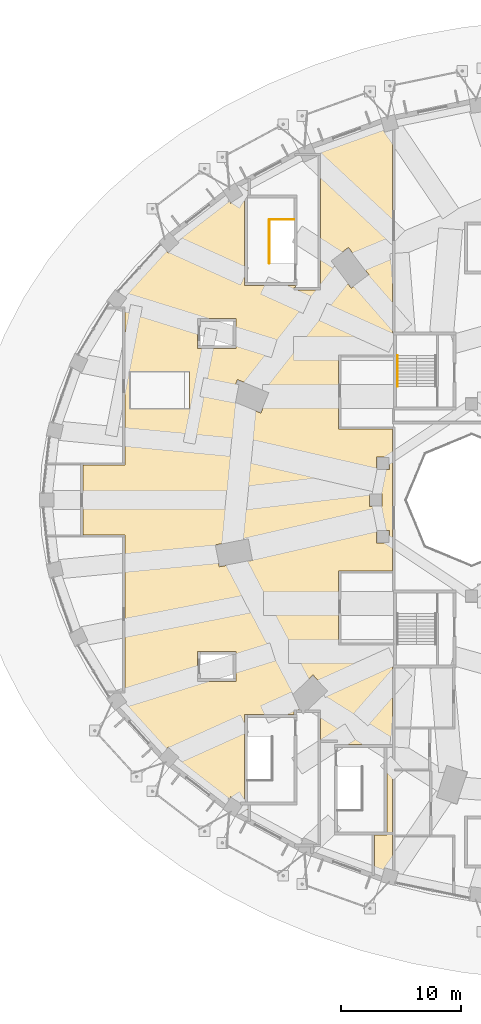
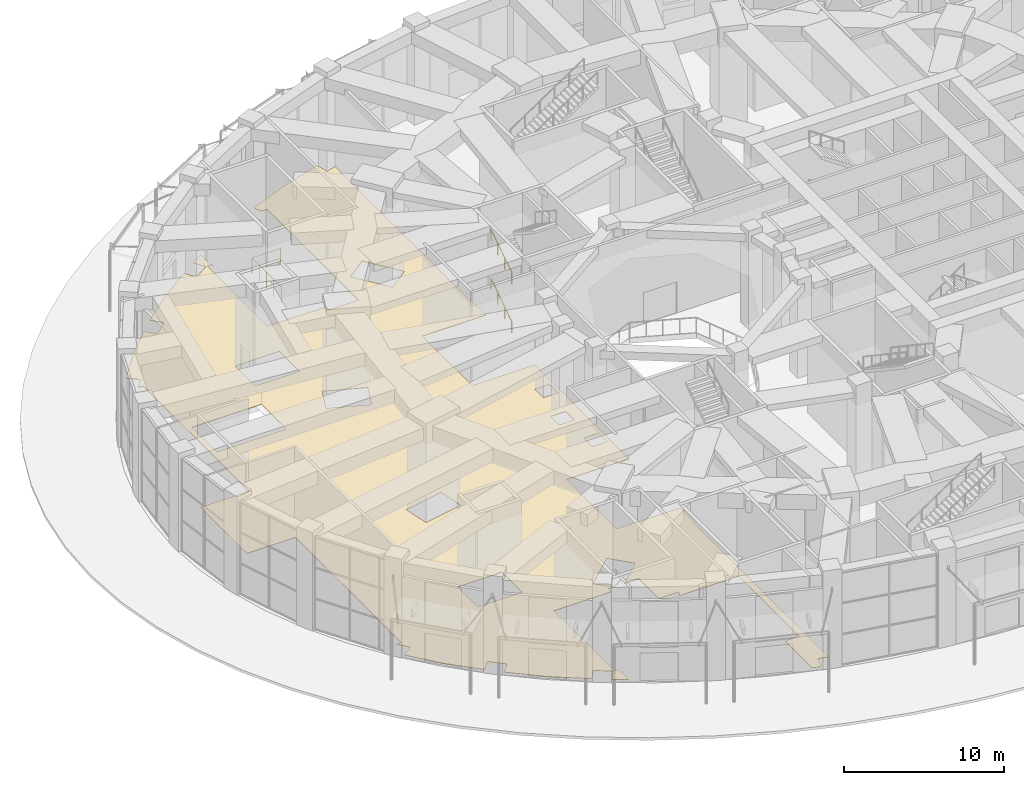
# One storey, part 56 of 60: 3 railings, 1 covering.
"""IFC4 building model written with IfcOpenShell, lengths in metres."""

import ifcopenshell
import ifcopenshell.guid

model = None  # the IFC model being written
_history = None  # IfcOwnerHistory: only IFC2X3 demands one
_inside = {}  # id of a spatial element -> (the spatial element, [elements in it])
_under = {}  # id of a project, library or spatial element -> (it, [spatial elements below it])
_declared = {}  # id of a project -> (the project, [libraries it declares])
_typed = {}  # id of a type object -> (the type object, [elements of that type])
_made_of = {}  # id of a material, layer set ... -> (it, [elements and type objects made of it])


def new_model(schema):
    """Start an empty IFC model of exactly this schema.

    Asked for "IFC4X3", IfcOpenShell would pick the latest addendum, in which some entities
    have other attributes; the version numbers below select the first issue.
    IFC2X3 requires an IfcOwnerHistory on every rooted entity: one is made here for all.
    """
    global model, _history
    if schema == "IFC4X3":
        model = ifcopenshell.file(schema_version=(4, 3, 0, 0))
    else:
        model = ifcopenshell.file(schema=schema)
    _inside.clear()
    _under.clear()
    _declared.clear()
    _typed.clear()
    _made_of.clear()
    _history = None
    if model.schema == "IFC2X3":
        org = make("IfcOrganization", Name="unknown")
        user = make(
            "IfcPersonAndOrganization",
            ThePerson=make("IfcPerson", FamilyName="unknown"),
            TheOrganization=org,
        )
        app = make(
            "IfcApplication",
            ApplicationDeveloper=org,
            Version="unknown",
            ApplicationFullName="unknown",
            ApplicationIdentifier="unknown",
        )
        _history = make(
            "IfcOwnerHistory",
            OwningUser=user,
            OwningApplication=app,
            ChangeAction="ADDED",
            CreationDate=0,
        )
    return model


def make(cls, **values):
    """One entity of the class cls with the attributes given. An attribute that is None is left unset."""
    return model.create_entity(
        cls, **{name: value for name, value in values.items() if value is not None}
    )


def rooted(cls, **values):
    """An entity with a GlobalId (a new one), such as an element, a storey or a relation."""
    return make(cls, GlobalId=ifcopenshell.guid.new(), OwnerHistory=_history, **values)


def si_unit(unit_type, name, prefix=None):
    """IfcSIUnit, for example si_unit("LENGTHUNIT", "METRE", prefix="MILLI")."""
    return make("IfcSIUnit", UnitType=unit_type, Prefix=prefix, Name=name)


def assignment(units):
    """IfcUnitAssignment: the units of a project."""
    return None if units is None else make("IfcUnitAssignment", Units=units)


def point(xyz):
    """IfcCartesianPoint."""
    return None if xyz is None else make("IfcCartesianPoint", Coordinates=xyz)


def direction(xyz):
    """IfcDirection."""
    return None if xyz is None else make("IfcDirection", DirectionRatios=xyz)


def frame(location, z_axis=None, x_axis=None):
    """IfcAxis2Placement3D, a coordinate frame: its origin and axes. An axis left out is left unset."""
    return make(
        "IfcAxis2Placement3D",
        Location=point(location),
        Axis=direction(z_axis),
        RefDirection=direction(x_axis),
    )


def frame_2d(location, x_axis=None):
    """IfcAxis2Placement2D, a coordinate frame in the plane: its origin and x axis."""
    return make(
        "IfcAxis2Placement2D", Location=point(location), RefDirection=direction(x_axis)
    )


def origin():
    """The frame at (0, 0, 0) with its axes left unset."""
    return frame((0.0, 0.0, 0.0))


def origin_2d():
    """The frame at (0, 0) in the plane with its x axis left unset."""
    return frame_2d((0.0, 0.0))


def place(relative_to, where):
    """IfcLocalPlacement: puts the frame where relative to a parent placement (None: the world)."""
    return make(
        "IfcLocalPlacement", PlacementRelTo=relative_to, RelativePlacement=where
    )


def context(
    kind, dimensions, precision=None, world=None, true_north=None, identifier=None
):
    """IfcGeometricRepresentationContext, for example the 3D "Model" context."""
    return make(
        "IfcGeometricRepresentationContext",
        ContextIdentifier=identifier,
        ContextType=kind,
        CoordinateSpaceDimension=dimensions,
        Precision=precision,
        WorldCoordinateSystem=world,
        TrueNorth=true_north,
    )


def subcontext(parent, identifier, kind, view, scale=None):
    """IfcGeometricRepresentationSubContext, for example "Body" below "Model"."""
    return make(
        "IfcGeometricRepresentationSubContext",
        ContextIdentifier=identifier,
        ContextType=kind,
        ParentContext=parent,
        TargetScale=scale,
        TargetView=view,
    )


def project(units=None, contexts=None):
    """IfcProject with its units and contexts."""
    return rooted(
        "IfcProject",
        Name="project",
        RepresentationContexts=contexts,
        UnitsInContext=assignment(units),
    )


def spatial(cls, under=None, at=None, **own):
    """A site, building, storey or space (cls), placed at a placement, below another one or the project."""
    s = rooted(cls, ObjectPlacement=at, **own)
    if under is not None:
        _under.setdefault(under.id(), (under, []))[1].append(s)
    return s


def polyline(points):
    """IfcPolyline through the points."""
    return make("IfcPolyline", Points=[point(p) for p in points])


def profile(cls, at=None, kind="AREA", **sizes):
    """A parametric profile (cls). Its sizes go by their IFC names, for example OverallWidth=200.0."""
    return make(cls, ProfileType=kind, Position=at, **sizes)


def circle(**sizes):
    """IfcCircleProfileDef."""
    return profile("IfcCircleProfileDef", **sizes)


def outline(outer, holes=None, kind="AREA"):
    """IfcArbitraryClosedProfileDef: a profile drawn as a closed curve; with holes, ...WithVoids."""
    if holes is None:
        return make("IfcArbitraryClosedProfileDef", ProfileType=kind, OuterCurve=outer)
    return make(
        "IfcArbitraryProfileDefWithVoids",
        ProfileType=kind,
        OuterCurve=outer,
        InnerCurves=holes,
    )


def extrude(swept, where, along, depth):
    """IfcExtrudedAreaSolid: the profile swept, set in the frame where, extruded along a direction by depth."""
    return make(
        "IfcExtrudedAreaSolid",
        SweptArea=swept,
        Position=where,
        ExtrudedDirection=direction(along),
        Depth=depth,
    )


def shape(context_of_items, identifier, shape_type, items):
    """IfcShapeRepresentation: the items that make up one representation, for example the "Body"."""
    return make(
        "IfcShapeRepresentation",
        ContextOfItems=context_of_items,
        RepresentationIdentifier=identifier,
        RepresentationType=shape_type,
        Items=items,
    )


def material(Name=None, Category=None):
    """IfcMaterial."""
    return make("IfcMaterial", Name=Name, Category=Category)


def layer(
    of_material, thickness, ventilated=None, Name=None, Category=None, Priority=None
):
    """IfcMaterialLayer: one layer of a wall or slab, of a material (None: an air gap)."""
    return make(
        "IfcMaterialLayer",
        Material=of_material,
        LayerThickness=thickness,
        IsVentilated=ventilated,
        Name=Name,
        Category=Category,
        Priority=Priority,
    )


def layer_set(layers, Name=None):
    """IfcMaterialLayerSet."""
    return make("IfcMaterialLayerSet", MaterialLayers=layers, LayerSetName=Name)


def made_of(thing, what):
    """Note that an element or type object is made of a material, layer set ...; save() writes the relation."""
    if what is not None:
        _made_of.setdefault(what.id(), (what, []))[1].append(thing)
    return thing


def type_object(cls, material=None, **own):
    """A type object (cls), such as IfcWallType, which elements share."""
    return made_of(rooted(cls, **own), material)


def element(
    cls,
    number,
    at=None,
    inside=None,
    cuts=None,
    type_object=None,
    material=None,
    context=None,
    identifier="Body",
    shape_type=None,
    held_by="IfcProductDefinitionShape",
    body=None,
    shapes=None,
    **own,
):
    """One element of the class cls, such as IfcWall. Its Tag is "e" and its number.

    at: its placement. inside: the storey or other place that contains it. cuts: it is an
    opening in that element (IfcRelVoidsElement). A single representation is given by context,
    identifier, shape_type and body (its items); several are given by shapes. held_by: the class
    of the entity that holds the representations. save() writes the other relations.
    """
    e = rooted(cls, Tag="e%d" % number, ObjectPlacement=at, **own)
    if body is not None:
        shapes = [shape(context, identifier, shape_type, body)]
    if shapes is not None:
        e.Representation = make(held_by, Representations=shapes)
    if inside is not None:
        _inside.setdefault(inside.id(), (inside, []))[1].append(e)
    if cuts is not None:
        rooted(
            "IfcRelVoidsElement", RelatingBuildingElement=cuts, RelatedOpeningElement=e
        )
    if type_object is not None:
        _typed.setdefault(type_object.id(), (type_object, []))[1].append(e)
    return made_of(e, material)


def aggregate(whole, parts):
    """IfcRelAggregates: a whole, such as a stair, and the parts it consists of."""
    return rooted("IfcRelAggregates", RelatingObject=whole, RelatedObjects=parts)


def save(model, path):
    """Write the relations noted so far, then the file.

    IfcRelAggregates (storeys below a building ...), IfcRelContainedInSpatialStructure (elements
    in a storey), IfcRelDefinesByType, IfcRelAssociatesMaterial and IfcRelDeclares: one each for
    every whole, place, type object, material and project.
    """
    for whole, parts in _under.values():
        aggregate(whole, parts)
    for where, things in _inside.values():
        rooted(
            "IfcRelContainedInSpatialStructure",
            RelatedElements=things,
            RelatingStructure=where,
        )
    for kind, things in _typed.values():
        rooted("IfcRelDefinesByType", RelatedObjects=things, RelatingType=kind)
    for what, things in _made_of.values():
        rooted("IfcRelAssociatesMaterial", RelatedObjects=things, RelatingMaterial=what)
    for by, libraries in _declared.values():
        rooted("IfcRelDeclares", RelatingContext=by, RelatedDefinitions=libraries)
    model.write(path)


model = new_model("IFC4")

# Units and contexts
model_context = context("Model", 3, precision=1e-05, world=origin(), true_north=direction((0.0, 1.0)))
body_context = subcontext(model_context, "Body", "Model", "MODEL_VIEW")
ifc_project = project(units=[si_unit("LENGTHUNIT", "METRE"), si_unit("AREAUNIT", "SQUARE_METRE"), si_unit("VOLUMEUNIT", "CUBIC_METRE"), si_unit("PLANEANGLEUNIT", "RADIAN"), si_unit("MASSUNIT", "GRAM", prefix="KILO")], contexts=[model_context])

# Site, building, storey
site_placement = place(None, origin())
site = spatial("IfcSite", under=ifc_project, at=site_placement, CompositionType="ELEMENT")
building_placement = place(site_placement, origin())
building = spatial("IfcBuilding", under=site, at=building_placement, Name="Taillehof Tower", CompositionType="ELEMENT")
storey_placement = place(building_placement, origin())
storey = spatial("IfcBuildingStorey", under=building, at=storey_placement, Name="L00", CompositionType="ELEMENT", Elevation=0.0)

# Covering
ifc_material_1 = material(Name="Terrazzo floor finish")
ifc_layer = layer(ifc_material_1, 0.030029296875)
ifc_layer_set = layer_set([ifc_layer], Name="Floor finish 30 mm")
covering_type = type_object("IfcCoveringType", Name="Floor finish 30 mm", PredefinedType="FLOORING", material=ifc_layer_set)
covering_placement = place(storey_placement, origin())
element("IfcCovering", 1, at=covering_placement, inside=storey, type_object=covering_type, Name="Floor finish L00-35", PredefinedType="FLOORING", context=body_context, shape_type="SweptSolid", body=[
    extrude(outline(polyline([(-35.7890625, 19.33935546875), (-33.894287109375, 21.24267578125), (-33.30322265625, 20.60107421875), (-33.30126953125, 20.598876953125), (-33.298828125, 20.59716796875), (-33.29638671875, 20.595458984375), (-33.2939453125, 20.593994140625), (-33.291015625, 20.593017578125), (-33.288330078125, 20.592041015625), (-33.285400390625, 20.591552734375), (-33.282470703125, 20.59130859375), (-33.279541015625, 20.59130859375), (-33.276611328125, 20.591552734375), (-33.273681640625, 20.59228515625), (-33.27099609375, 20.593017578125), (-33.268310546875, 20.59423828125), (-33.265625, 20.595703125), (-33.26318359375, 20.597412109375), (-33.260986328125, 20.59912109375), (-32.378173828125, 21.412109375), (-32.376220703125, 21.414306640625), (-32.374267578125, 21.41650390625), (-32.37255859375, 21.4189453125), (-32.371337890625, 21.421630859375), (-32.3701171875, 21.42431640625), (-32.369384765625, 21.42724609375), (-32.368896484375, 21.429931640625), (-32.36865234375, 21.432861328125), (-32.36865234375, 21.435791015625), (-32.368896484375, 21.438720703125), (-32.369384765625, 21.441650390625), (-32.370361328125, 21.444580078125), (-32.37158203125, 21.447265625), (-32.372802734375, 21.44970703125), (-32.37451171875, 21.4521484375), (-32.37646484375, 21.45458984375), (-32.965087890625, 22.09375), (-30.890869140625, 23.838134765625), (-28.574951171875, 25.4736328125), (-28.09912109375, 24.73974609375), (-28.097412109375, 24.7373046875), (-28.095458984375, 24.735107421875), (-28.09326171875, 24.733154296875), (-28.091064453125, 24.731201171875), (-28.08837890625, 24.729736328125), (-28.0859375, 24.728515625), (-28.0830078125, 24.7275390625), (-28.080322265625, 24.7265625), (-28.077392578125, 24.726318359375), (-28.074462890625, 24.72607421875), (-28.071533203125, 24.72607421875), (-28.068603515625, 24.7265625), (-28.065673828125, 24.727294921875), (-28.06298828125, 24.728271484375), (-28.060302734375, 24.7294921875), (-28.0576171875, 24.73095703125), (-27.05078125, 25.3837890625), (-27.04833984375, 25.385498046875), (-27.046142578125, 25.387451171875), (-27.044189453125, 25.389404296875), (-27.04248046875, 25.391845703125), (-27.040771484375, 25.394287109375), (-27.03955078125, 25.39697265625), (-27.03857421875, 25.399658203125), (-27.037841796875, 25.402587890625), (-27.037353515625, 25.405517578125), (-27.037109375, 25.408447265625), (-27.037109375, 25.411376953125), (-27.03759765625, 25.414306640625), (-27.038330078125, 25.417236328125), (-27.039306640625, 25.419921875), (-27.04052734375, 25.422607421875), (-27.0419921875, 25.42529296875), (-27.51611328125, 26.156494140625), (-26.63916015625, 26.675048828125), (-26.63916015625, 25.4150390625), (-26.539306640625, 25.4150390625), (-26.539306640625, 25.2900390625), (-26.675048828125, 25.2900390625), (-26.675048828125, 25.4150390625), (-26.925048828125, 25.4150390625), (-26.925048828125, 18.125), (-26.925048828125, 17.875), (-22.699951171875, 17.875), (-22.699951171875, 17.699951171875), (-22.800048828125, 17.699951171875), (-22.800048828125, 17.5), (-20.60009765625, 17.5), (-20.60009765625, 17.699951171875), (-20.60009765625, 28.68994140625), (-20.60009765625, 28.889892578125), (-20.994384765625, 28.889892578125), (-21.236328125, 29.432373046875), (-18.4599609375, 30.546142578125), (-15.525390625, 31.48291015625), (-15.28759765625, 30.6376953125), (-15.286865234375, 30.634765625), (-15.28564453125, 30.632080078125), (-15.2841796875, 30.629638671875), (-15.282470703125, 30.627197265625), (-15.280517578125, 30.625), (-15.2783203125, 30.622802734375), (-15.27587890625, 30.62109375), (-15.2734375, 30.61962890625), (-15.270751953125, 30.6181640625), (-15.26806640625, 30.6171875), (-15.265380859375, 30.616455078125), (-15.262451171875, 30.615966796875), (-15.259521484375, 30.61572265625), (-15.256591796875, 30.61572265625), (-15.253662109375, 30.6162109375), (-15.250732421875, 30.61669921875), (-14.60009765625, 30.7998046875), (-14.60009765625, 13.89990234375), (-14.5, 13.89990234375), (-14.5, 12.10009765625), (-18.89990234375, 12.10009765625), (-19.10009765625, 12.10009765625), (-19.10009765625, 6.10009765625), (-19.10009765625, 5.89990234375), (-14.60009765625, 5.89990234375), (-14.60009765625, -5.89990234375), (-18.89990234375, -5.89990234375), (-19.10009765625, -5.89990234375), (-19.10009765625, -11.89990234375), (-19.10009765625, -12.10009765625), (-14.5, -12.10009765625), (-14.5, -13.89990234375), (-14.60009765625, -13.89990234375), (-14.60009765625, -19.10009765625), (-14.60009765625, -22.60009765625), (-14.60009765625, -27.89990234375), (-14.60009765625, -30.7998046875), (-15.250732421875, -30.61669921875), (-15.253662109375, -30.6162109375), (-15.256591796875, -30.61572265625), (-15.259521484375, -30.61572265625), (-15.262451171875, -30.615966796875), (-15.265380859375, -30.616455078125), (-15.26806640625, -30.6171875), (-15.270751953125, -30.6181640625), (-15.2734375, -30.61962890625), (-15.27587890625, -30.62109375), (-15.2783203125, -30.622802734375), (-15.280517578125, -30.625), (-15.282470703125, -30.627197265625), (-15.2841796875, -30.629638671875), (-15.28564453125, -30.632080078125), (-15.286865234375, -30.634765625), (-15.28759765625, -30.6376953125), (-15.525390625, -31.48291015625), (-16.091796875, -31.302001953125), (-16.091796875, -27.9150390625), (-15.074951171875, -27.9150390625), (-15.074951171875, -27.6650390625), (-15.074951171875, -20.625), (-15.074951171875, -20.375), (-19.300048828125, -20.375), (-19.300048828125, -20.199951171875), (-19.199951171875, -20.199951171875), (-19.199951171875, -20.0), (-20.60009765625, -20.0), (-20.60009765625, -17.699951171875), (-20.60009765625, -17.5), (-21.63623046875, -17.5), (-19.983154296875, -15.95263671875), (-19.98095703125, -15.95068359375), (-19.979248046875, -15.9482421875), (-19.9775390625, -15.94580078125), (-19.976318359375, -15.943115234375), (-19.97509765625, -15.9404296875), (-19.974365234375, -15.937744140625), (-19.973876953125, -15.934814453125), (-19.9736328125, -15.931884765625), (-19.9736328125, -15.928955078125), (-19.97412109375, -15.926025390625), (-19.974609375, -15.923095703125), (-19.9755859375, -15.920166015625), (-19.976806640625, -15.91748046875), (-19.97802734375, -15.9150390625), (-19.979736328125, -15.91259765625), (-19.981689453125, -15.910400390625), (-21.211669921875, -14.59619140625), (-21.2138671875, -14.593994140625), (-21.216064453125, -14.59228515625), (-21.218505859375, -14.590576171875), (-21.22119140625, -14.58935546875), (-21.223876953125, -14.588134765625), (-21.226806640625, -14.58740234375), (-21.229736328125, -14.5869140625), (-21.232666015625, -14.586669921875), (-21.235595703125, -14.586669921875), (-21.238525390625, -14.5869140625), (-21.241455078125, -14.587646484375), (-21.244140625, -14.588623046875), (-21.246826171875, -14.589599609375), (-21.24951171875, -14.591064453125), (-21.251953125, -14.5927734375), (-21.254150390625, -14.5947265625), (-23.29833984375, -16.508056640625), (-23.300537109375, -16.51025390625), (-23.30224609375, -16.512451171875), (-23.303955078125, -16.514892578125), (-23.30517578125, -16.517578125), (-23.306396484375, -16.520263671875), (-23.30712890625, -16.523193359375), (-23.3076171875, -16.526123046875), (-23.307861328125, -16.529052734375), (-23.307861328125, -16.531982421875), (-23.3076171875, -16.534912109375), (-23.306884765625, -16.53759765625), (-23.305908203125, -16.54052734375), (-23.304931640625, -16.543212890625), (-23.303466796875, -16.545654296875), (-23.3017578125, -16.548095703125), (-23.2998046875, -16.550537109375), (-22.4111328125, -17.5), (-22.60009765625, -17.5), (-22.800048828125, -17.5), (-22.800048828125, -17.875), (-26.675048828125, -17.875), (-26.925048828125, -17.875), (-26.925048828125, -25.1650390625), (-26.925048828125, -25.4150390625), (-26.63916015625, -25.4150390625), (-26.63916015625, -26.675048828125), (-27.51611328125, -26.156494140625), (-27.0419921875, -25.42529296875), (-27.04052734375, -25.422607421875), (-27.039306640625, -25.419921875), (-27.038330078125, -25.417236328125), (-27.03759765625, -25.414306640625), (-27.037109375, -25.411376953125), (-27.037109375, -25.408447265625), (-27.037353515625, -25.405517578125), (-27.037841796875, -25.402587890625), (-27.03857421875, -25.399658203125), (-27.03955078125, -25.39697265625), (-27.040771484375, -25.394287109375), (-27.04248046875, -25.391845703125), (-27.044189453125, -25.389404296875), (-27.046142578125, -25.387451171875), (-27.04833984375, -25.385498046875), (-27.05078125, -25.3837890625), (-28.0576171875, -24.73095703125), (-28.060302734375, -24.7294921875), (-28.06298828125, -24.728271484375), (-28.065673828125, -24.727294921875), (-28.068603515625, -24.7265625), (-28.071533203125, -24.72607421875), (-28.074462890625, -24.72607421875), (-28.077392578125, -24.726318359375), (-28.080322265625, -24.7265625), (-28.0830078125, -24.7275390625), (-28.0859375, -24.728515625), (-28.08837890625, -24.729736328125), (-28.091064453125, -24.731201171875), (-28.09326171875, -24.733154296875), (-28.095458984375, -24.735107421875), (-28.097412109375, -24.7373046875), (-28.09912109375, -24.73974609375), (-28.574951171875, -25.4736328125), (-30.890869140625, -23.838134765625), (-32.965087890625, -22.09375), (-32.37646484375, -21.45458984375), (-32.37451171875, -21.4521484375), (-32.372802734375, -21.44970703125), (-32.37158203125, -21.447265625), (-32.370361328125, -21.444580078125), (-32.369384765625, -21.441650390625), (-32.368896484375, -21.438720703125), (-32.36865234375, -21.435791015625), (-32.36865234375, -21.432861328125), (-32.368896484375, -21.429931640625), (-32.369384765625, -21.42724609375), (-32.3701171875, -21.42431640625), (-32.371337890625, -21.421630859375), (-32.37255859375, -21.4189453125), (-32.374267578125, -21.41650390625), (-32.376220703125, -21.414306640625), (-32.378173828125, -21.412109375), (-33.260986328125, -20.59912109375), (-33.26318359375, -20.597412109375), (-33.265625, -20.595703125), (-33.268310546875, -20.59423828125), (-33.27099609375, -20.593017578125), (-33.273681640625, -20.59228515625), (-33.276611328125, -20.591552734375), (-33.279541015625, -20.59130859375), (-33.282470703125, -20.59130859375), (-33.285400390625, -20.591552734375), (-33.288330078125, -20.592041015625), (-33.291015625, -20.593017578125), (-33.2939453125, -20.593994140625), (-33.29638671875, -20.595458984375), (-33.298828125, -20.59716796875), (-33.30126953125, -20.598876953125), (-33.30322265625, -20.60107421875), (-33.894287109375, -21.24267578125), (-35.7890625, -19.33935546875), (-37.421875, -17.3642578125), (-36.727783203125, -16.845458984375), (-36.7255859375, -16.84375), (-36.723388671875, -16.841552734375), (-36.7216796875, -16.83935546875), (-36.719970703125, -16.8369140625), (-36.718505859375, -16.834228515625), (-36.717529296875, -16.83154296875), (-36.716552734375, -16.82861328125), (-36.716064453125, -16.825927734375), (-36.7158203125, -16.822998046875), (-36.7158203125, -16.820068359375), (-36.716064453125, -16.817138671875), (-36.716552734375, -16.814208984375), (-36.717529296875, -16.811279296875), (-36.71875, -16.80859375), (-36.719970703125, -16.805908203125), (-36.7216796875, -16.803466796875), (-37.247314453125, -16.10009765625), (-36.89990234375, -16.10009765625), (-36.89990234375, -15.89990234375), (-36.89990234375, -3.10009765625), (-36.89990234375, -2.89990234375), (-40.39990234375, -2.89990234375), (-40.39990234375, 2.89990234375), (-36.89990234375, 2.89990234375), (-36.89990234375, 3.10009765625), (-36.89990234375, 15.89990234375), (-36.89990234375, 16.10009765625), (-37.247314453125, 16.10009765625), (-36.7216796875, 16.803466796875), (-36.719970703125, 16.805908203125), (-36.71875, 16.80859375), (-36.717529296875, 16.811279296875), (-36.716552734375, 16.814208984375), (-36.716064453125, 16.817138671875), (-36.7158203125, 16.820068359375), (-36.7158203125, 16.822998046875), (-36.716064453125, 16.825927734375), (-36.716552734375, 16.82861328125), (-36.717529296875, 16.83154296875), (-36.718505859375, 16.834228515625), (-36.719970703125, 16.8369140625), (-36.7216796875, 16.83935546875), (-36.723388671875, 16.841552734375), (-36.7255859375, 16.84375), (-36.727783203125, 16.845458984375), (-37.421875, 17.3642578125), (-35.7890625, 19.33935546875)]), holes=[polyline([(-30.60009765625, -12.625), (-30.85009765625, -12.625), (-30.85009765625, -14.875), (-30.85009765625, -15.125), (-27.64990234375, -15.125), (-27.64990234375, -14.875), (-27.64990234375, -12.875), (-27.64990234375, -12.625), (-30.60009765625, -12.625)]), polyline([(-27.64990234375, 15.125), (-30.60009765625, 15.125), (-30.85009765625, 15.125), (-30.85009765625, 12.875), (-30.85009765625, 12.625), (-27.64990234375, 12.625), (-27.64990234375, 12.875), (-27.64990234375, 14.875), (-27.64990234375, 15.125)]), polyline([(-26.614990234375, -3.201904296875), (-26.617919921875, -3.201416015625), (-26.620849609375, -3.201416015625), (-26.623779296875, -3.201416015625), (-26.626708984375, -3.201904296875), (-29.3740234375, -3.7421875), (-29.376708984375, -3.742919921875), (-29.379638671875, -3.743896484375), (-29.38232421875, -3.7451171875), (-29.384765625, -3.746826171875), (-29.38720703125, -3.74853515625), (-29.389404296875, -3.75048828125), (-29.391357421875, -3.752685546875), (-29.39306640625, -3.7548828125), (-29.39453125, -3.757568359375), (-29.395751953125, -3.76025390625), (-29.39697265625, -3.762939453125), (-29.397705078125, -3.765869140625), (-29.39794921875, -3.768798828125), (-29.398193359375, -3.771728515625), (-29.39794921875, -3.774658203125), (-29.397705078125, -3.777587890625), (-29.05029296875, -5.543701171875), (-29.049560546875, -5.546630859375), (-29.048583984375, -5.54931640625), (-29.04736328125, -5.552001953125), (-29.0458984375, -5.554443359375), (-29.0439453125, -5.556884765625), (-29.0419921875, -5.55908203125), (-29.039794921875, -5.56103515625), (-29.03759765625, -5.562744140625), (-29.034912109375, -5.564208984375), (-29.032470703125, -5.565673828125), (-29.029541015625, -5.566650390625), (-29.02685546875, -5.5673828125), (-29.02392578125, -5.567626953125), (-29.02099609375, -5.56787109375), (-29.01806640625, -5.567626953125), (-29.01513671875, -5.5673828125), (-26.267578125, -5.02685546875), (-26.264892578125, -5.0263671875), (-26.261962890625, -5.025390625), (-26.25927734375, -5.02392578125), (-26.2568359375, -5.0224609375), (-26.25439453125, -5.020751953125), (-26.252197265625, -5.018798828125), (-26.250244140625, -5.0166015625), (-26.24853515625, -5.01416015625), (-26.2470703125, -5.01171875), (-26.245849609375, -5.009033203125), (-26.244873046875, -5.00634765625), (-26.244140625, -5.00341796875), (-26.24365234375, -5.00048828125), (-26.243408203125, -4.99755859375), (-26.24365234375, -4.99462890625), (-26.244140625, -4.99169921875), (-26.59130859375, -3.2255859375), (-26.592041015625, -3.22265625), (-26.593017578125, -3.219970703125), (-26.59423828125, -3.21728515625), (-26.595947265625, -3.21484375), (-26.59765625, -3.21240234375), (-26.599609375, -3.210205078125), (-26.601806640625, -3.208251953125), (-26.60400390625, -3.20654296875), (-26.606689453125, -3.204833984375), (-26.609375, -3.20361328125), (-26.612060546875, -3.20263671875), (-26.614990234375, -3.201904296875)]), polyline([(-16.511474609375, -0.52783203125), (-16.5087890625, -0.52880859375), (-16.505859375, -0.529541015625), (-16.5029296875, -0.52978515625), (-16.5, -0.530029296875), (-15.5, -0.530029296875), (-15.4970703125, -0.52978515625), (-15.494140625, -0.529541015625), (-15.4912109375, -0.52880859375), (-15.488525390625, -0.52783203125), (-15.48583984375, -0.5263671875), (-15.4833984375, -0.52490234375), (-15.48095703125, -0.523193359375), (-15.478759765625, -0.521240234375), (-15.476806640625, -0.51904296875), (-15.47509765625, -0.5166015625), (-15.4736328125, -0.51416015625), (-15.47216796875, -0.511474609375), (-15.47119140625, -0.5087890625), (-15.470458984375, -0.505859375), (-15.47021484375, -0.5029296875), (-15.469970703125, -0.5), (-15.469970703125, 0.5), (-15.47021484375, 0.5029296875), (-15.470458984375, 0.505859375), (-15.47119140625, 0.5087890625), (-15.47216796875, 0.511474609375), (-15.4736328125, 0.51416015625), (-15.47509765625, 0.5166015625), (-15.476806640625, 0.51904296875), (-15.478759765625, 0.521240234375), (-15.48095703125, 0.523193359375), (-15.4833984375, 0.52490234375), (-15.48583984375, 0.5263671875), (-15.488525390625, 0.52783203125), (-15.4912109375, 0.52880859375), (-15.494140625, 0.529541015625), (-15.4970703125, 0.52978515625), (-15.5, 0.530029296875), (-16.5, 0.530029296875), (-16.5029296875, 0.52978515625), (-16.505859375, 0.529541015625), (-16.5087890625, 0.52880859375), (-16.511474609375, 0.52783203125), (-16.51416015625, 0.5263671875), (-16.5166015625, 0.52490234375), (-16.51904296875, 0.523193359375), (-16.521240234375, 0.521240234375), (-16.523193359375, 0.51904296875), (-16.52490234375, 0.5166015625), (-16.5263671875, 0.51416015625), (-16.52783203125, 0.511474609375), (-16.52880859375, 0.5087890625), (-16.529541015625, 0.505859375), (-16.52978515625, 0.5029296875), (-16.530029296875, 0.5), (-16.530029296875, -0.5), (-16.52978515625, -0.5029296875), (-16.529541015625, -0.505859375), (-16.52880859375, -0.5087890625), (-16.52783203125, -0.511474609375), (-16.5263671875, -0.51416015625), (-16.52490234375, -0.5166015625), (-16.523193359375, -0.51904296875), (-16.521240234375, -0.521240234375), (-16.51904296875, -0.523193359375), (-16.5166015625, -0.52490234375), (-16.51416015625, -0.5263671875), (-16.511474609375, -0.52783203125)]), polyline([(-24.8896484375, 8.964599609375), (-24.891845703125, 8.966552734375), (-24.89404296875, 8.96826171875), (-24.896728515625, 8.969970703125), (-24.8994140625, 8.97119140625), (-27.49365234375, 10.0244140625), (-27.496337890625, 10.025390625), (-27.499267578125, 10.02587890625), (-27.502197265625, 10.0263671875), (-27.505126953125, 10.026611328125), (-27.508056640625, 10.0263671875), (-27.510986328125, 10.02587890625), (-27.513916015625, 10.025146484375), (-27.5166015625, 10.024169921875), (-27.519287109375, 10.02294921875), (-27.521728515625, 10.021240234375), (-27.524169921875, 10.01953125), (-27.5263671875, 10.017578125), (-27.5283203125, 10.015380859375), (-27.530029296875, 10.012939453125), (-27.531494140625, 10.010498046875), (-27.53271484375, 10.0078125), (-28.209716796875, 8.340087890625), (-28.210693359375, 8.337158203125), (-28.21142578125, 8.33447265625), (-28.2119140625, 8.33154296875), (-28.2119140625, 8.32861328125), (-28.2119140625, 8.32568359375), (-28.21142578125, 8.32275390625), (-28.210693359375, 8.31982421875), (-28.209716796875, 8.317138671875), (-28.20849609375, 8.314453125), (-28.206787109375, 8.311767578125), (-28.205078125, 8.3095703125), (-28.203125, 8.307373046875), (-28.200927734375, 8.305419921875), (-28.198486328125, 8.3037109375), (-28.196044921875, 8.30224609375), (-28.193359375, 8.301025390625), (-25.598876953125, 7.247802734375), (-25.59619140625, 7.246826171875), (-25.59326171875, 7.24609375), (-25.59033203125, 7.24560546875), (-25.58740234375, 7.24560546875), (-25.58447265625, 7.24560546875), (-25.58154296875, 7.24609375), (-25.578857421875, 7.246826171875), (-25.575927734375, 7.247802734375), (-25.5732421875, 7.2490234375), (-25.57080078125, 7.250732421875), (-25.568359375, 7.25244140625), (-25.56640625, 7.25439453125), (-25.564453125, 7.256591796875), (-25.5625, 7.259033203125), (-25.56103515625, 7.261474609375), (-25.559814453125, 7.26416015625), (-24.8828125, 8.93212890625), (-24.8818359375, 8.934814453125), (-24.881103515625, 8.937744140625), (-24.880615234375, 8.940673828125), (-24.880615234375, 8.943603515625), (-24.880859375, 8.946533203125), (-24.881103515625, 8.949462890625), (-24.8818359375, 8.9521484375), (-24.883056640625, 8.955078125), (-24.88427734375, 8.95751953125), (-24.8857421875, 8.960205078125), (-24.887451171875, 8.96240234375), (-24.8896484375, 8.964599609375)]), polyline([(-36.5, 10.699951171875), (-36.5, 7.60009765625), (-31.5, 7.60009765625), (-31.5, 10.699951171875), (-36.5, 10.699951171875)]), polyline([(-16.56884765625, 18.7724609375), (-16.56982421875, 18.775146484375), (-16.57080078125, 18.77783203125), (-16.572265625, 18.780517578125), (-16.573974609375, 18.782958984375), (-18.25732421875, 21.0205078125), (-18.259033203125, 21.022705078125), (-18.26123046875, 21.02490234375), (-18.263427734375, 21.026611328125), (-18.265869140625, 21.0283203125), (-18.2685546875, 21.029541015625), (-18.271240234375, 21.03076171875), (-18.274169921875, 21.031494140625), (-18.277099609375, 21.0322265625), (-18.280029296875, 21.032470703125), (-18.282958984375, 21.032470703125), (-18.285888671875, 21.031982421875), (-18.28857421875, 21.031494140625), (-18.29150390625, 21.030517578125), (-18.294189453125, 21.029541015625), (-18.296875, 21.028076171875), (-18.29931640625, 21.0263671875), (-19.737548828125, 19.9443359375), (-19.739990234375, 19.9423828125), (-19.741943359375, 19.9404296875), (-19.743896484375, 19.93798828125), (-19.745361328125, 19.935546875), (-19.746826171875, 19.932861328125), (-19.747802734375, 19.93017578125), (-19.748779296875, 19.927490234375), (-19.749267578125, 19.924560546875), (-19.74951171875, 19.921630859375), (-19.74951171875, 19.918701171875), (-19.749267578125, 19.915771484375), (-19.74853515625, 19.912841796875), (-19.747802734375, 19.909912109375), (-19.74658203125, 19.9072265625), (-19.7451171875, 19.90478515625), (-19.74365234375, 19.90234375), (-18.060302734375, 17.664794921875), (-18.058349609375, 17.66259765625), (-18.056396484375, 17.660400390625), (-18.053955078125, 17.65869140625), (-18.051513671875, 17.656982421875), (-18.049072265625, 17.655517578125), (-18.046142578125, 17.654541015625), (-18.04345703125, 17.653564453125), (-18.04052734375, 17.653076171875), (-18.03759765625, 17.65283203125), (-18.03466796875, 17.65283203125), (-18.03173828125, 17.653076171875), (-18.02880859375, 17.65380859375), (-18.026123046875, 17.654541015625), (-18.023193359375, 17.65576171875), (-18.020751953125, 17.6572265625), (-18.018310546875, 17.658935546875), (-16.579833984375, 18.740966796875), (-16.57763671875, 18.742919921875), (-16.575439453125, 18.744873046875), (-16.57373046875, 18.747314453125), (-16.572021484375, 18.749755859375), (-16.57080078125, 18.752197265625), (-16.569580078125, 18.7548828125), (-16.56884765625, 18.7578125), (-16.568115234375, 18.7607421875), (-16.56787109375, 18.763671875), (-16.56787109375, 18.7666015625), (-16.568359375, 18.76953125), (-16.56884765625, 18.7724609375)]), polyline([(-15.9052734375, -3.587890625), (-15.902587890625, -3.589111328125), (-15.899658203125, -3.590087890625), (-15.89697265625, -3.5908203125), (-15.89404296875, -3.59130859375), (-15.89111328125, -3.591552734375), (-14.89111328125, -3.591552734375), (-14.88818359375, -3.59130859375), (-14.88525390625, -3.5908203125), (-14.88232421875, -3.590087890625), (-14.879638671875, -3.589111328125), (-14.876953125, -3.587890625), (-14.874267578125, -3.58642578125), (-14.8720703125, -3.584716796875), (-14.869873046875, -3.582763671875), (-14.867919921875, -3.58056640625), (-14.8662109375, -3.578125), (-14.864501953125, -3.57568359375), (-14.86328125, -3.572998046875), (-14.8623046875, -3.570068359375), (-14.861572265625, -3.5673828125), (-14.861083984375, -3.564453125), (-14.861083984375, -3.5615234375), (-14.861083984375, -2.5615234375), (-14.861083984375, -2.55859375), (-14.861572265625, -2.5556640625), (-14.8623046875, -2.552734375), (-14.86328125, -2.550048828125), (-14.864501953125, -2.54736328125), (-14.8662109375, -2.544921875), (-14.867919921875, -2.54248046875), (-14.869873046875, -2.540283203125), (-14.8720703125, -2.538330078125), (-14.874267578125, -2.53662109375), (-14.876953125, -2.534912109375), (-14.879638671875, -2.53369140625), (-14.88232421875, -2.53271484375), (-14.88525390625, -2.531982421875), (-14.88818359375, -2.531494140625), (-14.89111328125, -2.531494140625), (-15.89111328125, -2.531494140625), (-15.89404296875, -2.531494140625), (-15.89697265625, -2.531982421875), (-15.899658203125, -2.53271484375), (-15.902587890625, -2.53369140625), (-15.9052734375, -2.534912109375), (-15.90771484375, -2.53662109375), (-15.91015625, -2.538330078125), (-15.912353515625, -2.540283203125), (-15.914306640625, -2.54248046875), (-15.916015625, -2.544921875), (-15.91748046875, -2.54736328125), (-15.918701171875, -2.550048828125), (-15.919677734375, -2.552734375), (-15.92041015625, -2.5556640625), (-15.9208984375, -2.55859375), (-15.921142578125, -2.5615234375), (-15.921142578125, -3.5615234375), (-15.9208984375, -3.564453125), (-15.92041015625, -3.5673828125), (-15.919677734375, -3.570068359375), (-15.918701171875, -3.572998046875), (-15.91748046875, -3.57568359375), (-15.916015625, -3.578125), (-15.914306640625, -3.58056640625), (-15.912353515625, -3.582763671875), (-15.91015625, -3.584716796875), (-15.90771484375, -3.58642578125), (-15.9052734375, -3.587890625)]), polyline([(-15.902587890625, 2.53369140625), (-15.899658203125, 2.53271484375), (-15.89697265625, 2.531982421875), (-15.89404296875, 2.531494140625), (-15.89111328125, 2.531494140625), (-14.89111328125, 2.531494140625), (-14.88818359375, 2.531494140625), (-14.88525390625, 2.531982421875), (-14.88232421875, 2.53271484375), (-14.879638671875, 2.53369140625), (-14.876953125, 2.534912109375), (-14.874267578125, 2.53662109375), (-14.8720703125, 2.538330078125), (-14.869873046875, 2.540283203125), (-14.867919921875, 2.54248046875), (-14.8662109375, 2.544921875), (-14.864501953125, 2.54736328125), (-14.86328125, 2.550048828125), (-14.8623046875, 2.552734375), (-14.861572265625, 2.5556640625), (-14.861083984375, 2.55859375), (-14.861083984375, 2.5615234375), (-14.861083984375, 3.5615234375), (-14.861083984375, 3.564453125), (-14.861572265625, 3.5673828125), (-14.8623046875, 3.570068359375), (-14.86328125, 3.572998046875), (-14.864501953125, 3.57568359375), (-14.8662109375, 3.578125), (-14.867919921875, 3.58056640625), (-14.869873046875, 3.582763671875), (-14.8720703125, 3.584716796875), (-14.874267578125, 3.58642578125), (-14.876953125, 3.587890625), (-14.879638671875, 3.589111328125), (-14.88232421875, 3.590087890625), (-14.88525390625, 3.5908203125), (-14.88818359375, 3.59130859375), (-14.89111328125, 3.591552734375), (-15.89111328125, 3.591552734375), (-15.89404296875, 3.59130859375), (-15.89697265625, 3.5908203125), (-15.899658203125, 3.590087890625), (-15.902587890625, 3.589111328125), (-15.9052734375, 3.587890625), (-15.90771484375, 3.58642578125), (-15.91015625, 3.584716796875), (-15.912353515625, 3.582763671875), (-15.914306640625, 3.58056640625), (-15.916015625, 3.578125), (-15.91748046875, 3.57568359375), (-15.918701171875, 3.572998046875), (-15.919677734375, 3.570068359375), (-15.92041015625, 3.5673828125), (-15.9208984375, 3.564453125), (-15.921142578125, 3.5615234375), (-15.921142578125, 2.5615234375), (-15.9208984375, 2.55859375), (-15.92041015625, 2.5556640625), (-15.919677734375, 2.552734375), (-15.918701171875, 2.550048828125), (-15.91748046875, 2.54736328125), (-15.916015625, 2.544921875), (-15.914306640625, 2.54248046875), (-15.912353515625, 2.540283203125), (-15.91015625, 2.538330078125), (-15.90771484375, 2.53662109375), (-15.9052734375, 2.534912109375), (-15.902587890625, 2.53369140625)])]), origin(), (0.0, 0.0, 1.0), 0.030029296875),
])

# Railings
ifc_material_2 = material(Name="Stainless steel and laminated glass", Category="steel")
railing_type_1 = type_object("IfcRailingType", Name="Guard 1200 mm", PredefinedType="GUARDRAIL", material=ifc_material_2)
railing_placement = place(storey_placement, frame((-24.875, 19.72509765625, 0.0)))
element("IfcRailing", 2, at=railing_placement, inside=storey, type_object=railing_type_1, Name="Guard B1", PredefinedType="GUARDRAIL", context=body_context, shape_type="SweptSolid", body=[
    extrude(circle(Radius=0.02392578125, at=origin_2d()), frame((0.0, 0.0, 1.17578125), z_axis=(0.0, 1.0, 0.0), x_axis=(-1.0, 0.0, 0.0)), (0.0, 0.0, 1.0), 3.639892578125),
    extrude(circle(Radius=0.02392578125, at=origin_2d()), frame((0.0, 3.639892578125, 1.17578125), z_axis=(1.0, 0.0, 0.0), x_axis=(0.0, 1.0, 0.0)), (0.0, 0.0, 1.0), 2.050048828125),
    extrude(circle(Radius=0.02099609375, at=origin_2d()), origin(), (0.0, 0.0, 1.0), 1.15185546875),
    extrude(circle(Radius=0.02099609375, at=origin_2d()), frame((0.0, 0.909912109375, 0.0)), (0.0, 0.0, 1.0), 1.15185546875),
    extrude(circle(Radius=0.02099609375, at=origin_2d()), frame((0.0, 1.81982421875, 0.0)), (0.0, 0.0, 1.0), 1.15185546875),
    extrude(circle(Radius=0.02099609375, at=origin_2d()), frame((0.0, 2.72998046875, 0.0)), (0.0, 0.0, 1.0), 1.15185546875),
    extrude(circle(Radius=0.02099609375, at=origin_2d()), frame((0.0, 3.639892578125, 0.0)), (0.0, 0.0, 1.0), 1.15185546875),
    extrude(circle(Radius=0.02099609375, at=origin_2d()), frame((1.02490234375, 3.639892578125, 0.0)), (0.0, 0.0, 1.0), 1.15185546875),
    extrude(circle(Radius=0.02099609375, at=origin_2d()), frame((2.050048828125, 3.639892578125, 0.0)), (0.0, 0.0, 1.0), 1.15185546875),
])
ifc_material_3 = material(Name="Stainless steel", Category="steel")
railing_type_2 = type_object("IfcRailingType", Name="Stair handrail 900", PredefinedType="HANDRAIL", material=ifc_material_3)
for number, where, name in (
    (3, (-14.199951171875, 9.449951171875, 0.17041015625), "Stair S3 handrail"),
    (4, (-14.199951171875, 9.449951171875, 3.92041015625), "Stair S3 handrail"),
):
    element("IfcRailing", number, at=place(storey_placement, frame(where)), inside=storey, type_object=railing_type_2, Name=name, PredefinedType="HANDRAIL", context=body_context, shape_type="SweptSolid", body=[
        extrude(circle(Radius=0.02392578125, at=origin_2d()), frame((0.0, 0.0, 0.8759765625), z_axis=(0.0, 0.836302213143, 0.548268737292), x_axis=(-1.0, 0.0, 0.0)), (0.0, 0.0, 1.0), 3.109130859375),
        extrude(circle(Radius=0.02099609375, at=origin_2d()), origin(), (0.0, 0.0, 1.0), 0.851806640625),
        extrude(circle(Radius=0.02099609375, at=origin_2d()), frame((0.0, 0.86669921875, 0.568115234375)), (0.0, 0.0, 1.0), 0.851806640625),
        extrude(circle(Radius=0.02099609375, at=origin_2d()), frame((0.0, 1.7333984375, 1.136474609375)), (0.0, 0.0, 1.0), 0.851806640625),
        extrude(circle(Radius=0.02099609375, at=origin_2d()), frame((0.0, 2.60009765625, 1.70458984375)), (0.0, 0.0, 1.0), 0.851806640625),
    ])

save(model, "model.ifc")
